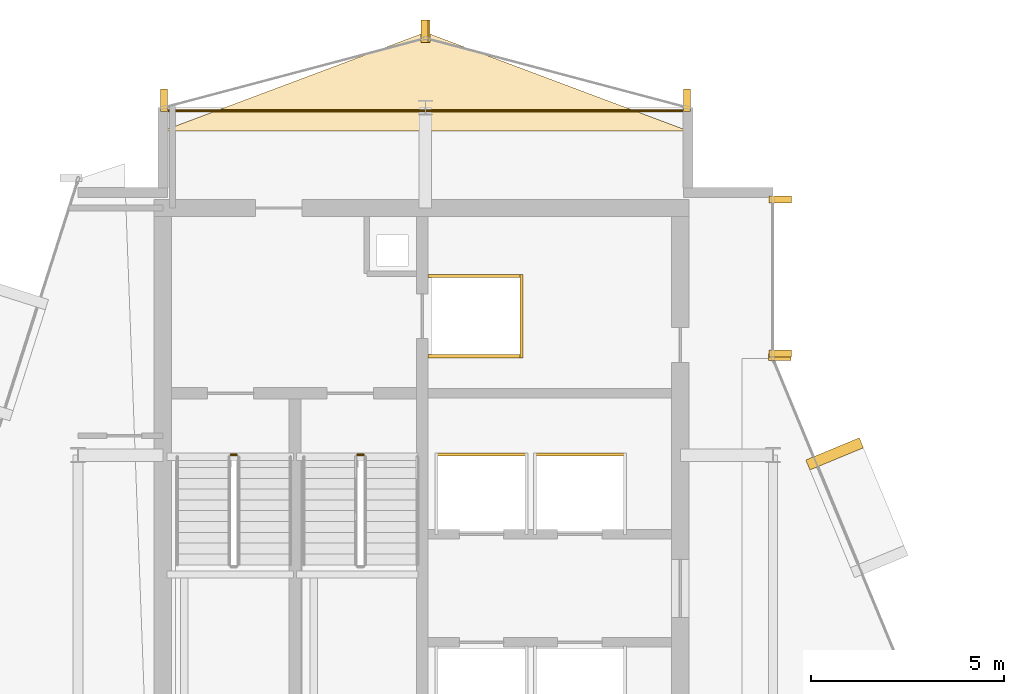
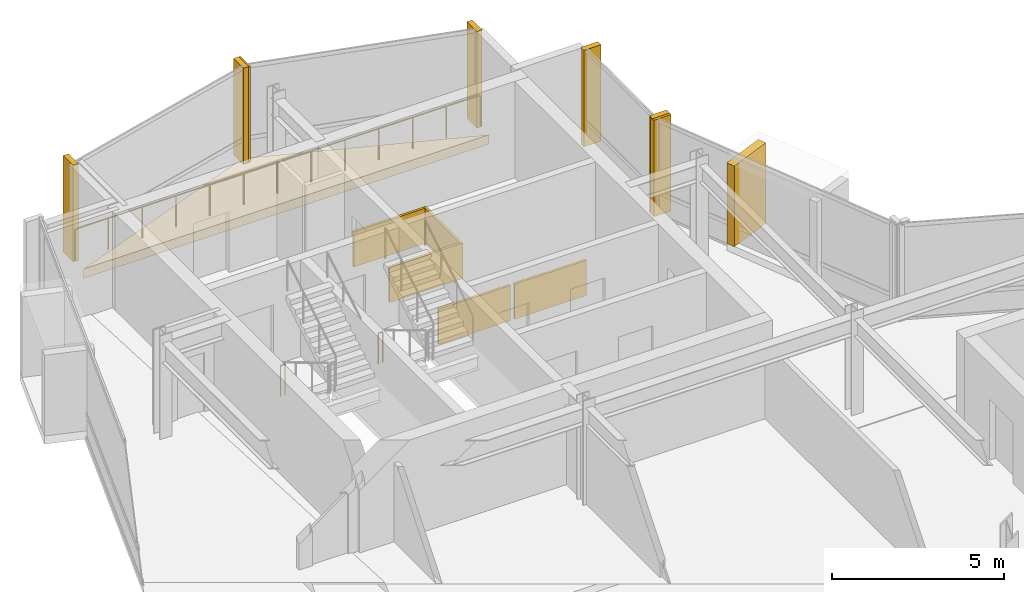
# One storey, part 19 of 19: 14 coverings, 3 railings.
"""IFC4 building model written with IfcOpenShell, lengths in metres."""

from ifc_helpers import new_model, si_unit, direction, frame, origin, origin_2d, place, context, subcontext, project, spatial, polyline, rectangle, circle, outline, extrude, material, layer, layer_set, type_object, element, save


model = new_model("IFC4")

# Units and contexts
model_context = context("Model", 3, precision=1e-05, world=origin(), true_north=direction((0.0, 1.0)))
body_context = subcontext(model_context, "Body", "Model", "MODEL_VIEW")
ifc_project = project(units=[si_unit("LENGTHUNIT", "METRE"), si_unit("AREAUNIT", "SQUARE_METRE"), si_unit("VOLUMEUNIT", "CUBIC_METRE"), si_unit("PLANEANGLEUNIT", "RADIAN"), si_unit("MASSUNIT", "GRAM", prefix="KILO")], contexts=[model_context])

# Site, building, storey
site_placement = place(None, origin())
site = spatial("IfcSite", under=ifc_project, at=site_placement, CompositionType="ELEMENT")
building_placement = place(site_placement, origin())
building = spatial("IfcBuilding", under=site, at=building_placement, Name="Solvaryn Broadcast Tower", CompositionType="ELEMENT")
storey_placement = place(building_placement, frame((0.0, 0.0, 259.300048828125)))
storey = spatial("IfcBuildingStorey", under=building, at=storey_placement, Name="L65", CompositionType="ELEMENT", Elevation=259.300048828125)

# Coverings
ifc_material_1 = material(Name="Fire-Rated Gypsum Shaftwall Liner", Category="concrete")
ifc_layer_1 = layer(ifc_material_1, 0.080078125)
ifc_layer_set_1 = layer_set([ifc_layer_1], Name="CV-SHAFT-LINER")
covering_type_1 = type_object("IfcCoveringType", Name="CV-SHAFT-LINER", PredefinedType="CLADDING", material=ifc_layer_set_1)
for number, where, z_axis, x_axis, name in (
    (1, (19.300048828125, 40.639892578125, 0.0), (0.0, 0.0, 1.0), (1.0, 0.0, 0.0), "L65 FL1 Hoistway Shaft Liner North"),
    (2, (19.300048828125, 38.56005859375, 0.0), (0.0, 0.0, 1.0), (1.0, 0.0, 0.0), "L65 FL1 Hoistway Shaft Liner South"),
):
    element("IfcCovering", number, at=place(storey_placement, frame(where, z_axis=z_axis, x_axis=x_axis)), inside=storey, type_object=covering_type_1, Name=name, PredefinedType="CLADDING", context=body_context, shape_type="SweptSolid", body=[
        extrude(rectangle(XDim=2.4599609375, YDim=0.080078125, at=origin_2d()), origin(), (0.0, 0.0, 1.0), 1.25),
    ])
covering_1_placement = place(storey_placement, frame((20.489990234375, 39.60009765625, 0.0), z_axis=(0.0, 0.0, 1.0), x_axis=(1.0, 0.0, 0.0)))
element("IfcCovering", 3, at=covering_1_placement, inside=storey, type_object=covering_type_1, Name="L65 FL1 Hoistway Shaft Liner East", PredefinedType="CLADDING", context=body_context, shape_type="SweptSolid", body=[
    extrude(rectangle(XDim=0.080078125, YDim=2.159912109375, at=origin_2d()), origin(), (0.0, 0.0, 1.0), 1.25),
])
for number, where, z_axis, x_axis, name in (
    (4, (19.449951171875, 36.014892578125, 0.0), (0.0, 0.0, 1.0), (1.0, 0.0, 0.0), "L65 PH3 Hoistway Shaft Liner North"),
    (5, (22.0, 36.014892578125, 0.0), (0.0, 0.0, 1.0), (1.0, 0.0, 0.0), "L65 PH4 Hoistway Shaft Liner North"),
):
    element("IfcCovering", number, at=place(storey_placement, frame(where, z_axis=z_axis, x_axis=x_axis)), inside=storey, type_object=covering_type_1, Name=name, PredefinedType="CLADDING", context=body_context, shape_type="SweptSolid", body=[
        extrude(rectangle(XDim=2.409912109375, YDim=0.080078125, at=origin_2d()), origin(), (0.0, 0.0, 1.0), 1.25),
    ])
ifc_material_2 = material(Name="Glazed Architectural Terracotta Rainscreen Cladding", Category="masonry")
ifc_layer_2 = layer(ifc_material_2, 0.280029296875)
ifc_layer_set_2 = layer_set([ifc_layer_2], Name="CV-TC-CLAD")
covering_type_2 = type_object("IfcCoveringType", Name="CV-TC-CLAD", PredefinedType="CLADDING", material=ifc_layer_set_2)
covering_2_placement = place(storey_placement, frame((28.59619140625, 36.031982421875, 0.27978515625), z_axis=(0.0, 0.0, 1.0), x_axis=(-0.382683432365, 0.923879532511, 0.0)))
element("IfcCovering", 6, at=covering_2_placement, inside=storey, type_object=covering_type_2, Name="L65 Projecting Stone Window Box Cheek 5-2", PredefinedType="CLADDING", context=body_context, shape_type="SweptSolid", body=[
    extrude(rectangle(XDim=0.280029296875, YDim=1.5, at=origin_2d()), origin(), (0.0, 0.0, 1.0), 2.860107421875),
])
ifc_material_3 = material(Name="Extruded Architectural Terracotta Fin", Category="masonry")
ifc_layer_3 = layer(ifc_material_3, 0.179931640625)
ifc_layer_set_3 = layer_set([ifc_layer_3], Name="CV-TC-FIN")
covering_type_3 = type_object("IfcCoveringType", Name="CV-TC-FIN", PredefinedType="USERDEFINED", material=ifc_layer_set_3)
for number, where, z_axis, x_axis, name in (
    (7, (27.1875, 42.6201171875, 0.0), (0.0, 0.0, 1.0), (1.0, 0.0, 0.0), "L65 Terracotta Vertical Fin FIN-L65-IV-M00"),
    (8, (27.1875, 38.6298828125, 0.0), (0.0, 0.0, 1.0), (1.0, 0.0, 0.0), "L65 Terracotta Vertical Fin FIN-L65-IV-M01"),
    (9, (27.177978515625, 38.541259765625, 0.0), (0.0, 0.0, 1.0), (1.0, 0.0, 0.0), "L65 Terracotta Vertical Fin FIN-L65-CN2-M01"),
):
    element("IfcCovering", number, at=place(storey_placement, frame(where, z_axis=z_axis, x_axis=x_axis)), inside=storey, type_object=covering_type_3, Name=name, ObjectType="FIN", PredefinedType="USERDEFINED", context=body_context, shape_type="SweptSolid", body=[
        extrude(rectangle(XDim=0.580078125, YDim=0.179931640625, at=origin_2d()), origin(), (0.0, 0.0, 1.0), 3.419921875),
    ])
for number, where, z_axis, x_axis, name in (
    (10, (24.77099609375, 45.1953125, 0.0), (0.0, 0.0, 1.0), (1.0, 0.0, 0.0), "L65 Terracotta Vertical Fin FIN-L65-NT1-M00"),
    (11, (18.029052734375, 46.979736328125, 0.0), (0.0, 0.0, 1.0), (1.0, 0.0, 0.0), "L65 Terracotta Vertical Fin FIN-L65-NT1-M01"),
    (12, (17.970947265625, 46.979736328125, 0.0), (0.0, 0.0, 1.0), (1.0, 0.0, 0.0), "L65 Terracotta Vertical Fin FIN-L65-NT2-M00"),
    (13, (11.22900390625, 45.1953125, 0.0), (0.0, 0.0, 1.0), (1.0, 0.0, 0.0), "L65 Terracotta Vertical Fin FIN-L65-NT2-M01"),
):
    element("IfcCovering", number, at=place(storey_placement, frame(where, z_axis=z_axis, x_axis=x_axis)), inside=storey, type_object=covering_type_3, Name=name, ObjectType="FIN", PredefinedType="USERDEFINED", context=body_context, shape_type="SweptSolid", body=[
        extrude(rectangle(XDim=0.179931640625, YDim=0.580078125, at=origin_2d()), origin(), (0.0, 0.0, 1.0), 3.419921875),
    ])
ifc_material_4 = material(Name="Sculpted Architectural Terracotta Wave Fascia", Category="masonry")
ifc_layer_4 = layer(ifc_material_4, 0.340087890625)
ifc_layer_set_4 = layer_set([ifc_layer_4], Name="CV-WAVE-TRAY")
covering_type_4 = type_object("IfcCoveringType", Name="CV-WAVE-TRAY", PredefinedType="CLADDING", material=ifc_layer_set_4)
covering_3_placement = place(storey_placement, frame((0.0, 0.0, -0.300048828125)))
element("IfcCovering", 14, at=covering_3_placement, inside=storey, type_object=covering_type_4, Name="L65 North Curved Wing Deck", PredefinedType="CLADDING", context=body_context, shape_type="SweptSolid", body=[
    extrude(outline(polyline([(11.199951171875, 44.39990234375), (24.800048828125, 44.39990234375), (18.0, 46.949951171875), (11.199951171875, 44.39990234375)])), origin(), (0.0, 0.0, 1.0), 0.330078125),
])

# Railings
ifc_material_5 = material(Name="Painted Steel Stair Well Guard", Category="steel")
railing_type_1 = type_object("IfcRailingType", Name="RL-STAIR-GUARD", PredefinedType="BALUSTRADE", material=ifc_material_5)
railing_1_placement = place(storey_placement, frame((12.9599609375, 36.010009765625, 0.0)))
element("IfcRailing", 15, at=railing_1_placement, inside=storey, type_object=railing_type_1, Name="L65 ST1 stair guard 4", PredefinedType="BALUSTRADE", context=body_context, shape_type="SweptSolid", body=[
    extrude(circle(Radius=0.02392578125, at=origin_2d()), frame((0.0, 0.0, 1.076171875), z_axis=(1.0, 0.0, 0.0), x_axis=(0.0, 1.0, 0.0)), (0.0, 0.0, 1.0), 0.150146484375),
    extrude(circle(Radius=0.02099609375, at=origin_2d()), origin(), (0.0, 0.0, 1.0), 1.052001953125),
    extrude(circle(Radius=0.02099609375, at=origin_2d()), frame((0.150146484375, 0.0, 0.0)), (0.0, 0.0, 1.0), 1.052001953125),
])
railing_2_placement = place(storey_placement, frame((16.239990234375, 36.010009765625, 0.0)))
element("IfcRailing", 16, at=railing_2_placement, inside=storey, type_object=railing_type_1, Name="L65 ST2 stair guard 4", PredefinedType="BALUSTRADE", context=body_context, shape_type="SweptSolid", body=[
    extrude(circle(Radius=0.02392578125, at=origin_2d()), frame((0.0, 0.0, 1.076171875), z_axis=(1.0, 0.0, 0.0), x_axis=(0.0, 1.0, 0.0)), (0.0, 0.0, 1.0), 0.14990234375),
    extrude(circle(Radius=0.02099609375, at=origin_2d()), origin(), (0.0, 0.0, 1.0), 1.052001953125),
    extrude(circle(Radius=0.02099609375, at=origin_2d()), frame((0.14990234375, 0.0, 0.0)), (0.0, 0.0, 1.0), 1.052001953125),
])
ifc_material_6 = material(Name="Stainless Steel and Laminated Glass Guard", Category="steel")
railing_type_2 = type_object("IfcRailingType", Name="RL-TER-1150", PredefinedType="BALUSTRADE", material=ifc_material_6)
railing_3_placement = place(storey_placement, frame((11.199951171875, 44.919921875, 0.0)))
element("IfcRailing", 17, at=railing_3_placement, inside=storey, type_object=railing_type_2, Name="L65 North Wing Spandrel Edge Guard", PredefinedType="BALUSTRADE", context=body_context, shape_type="SweptSolid", body=[
    extrude(circle(Radius=0.02392578125, at=origin_2d()), frame((0.0, 0.0, 1.1259765625), z_axis=(1.0, 0.0, 0.0), x_axis=(0.0, 1.0, 0.0)), (0.0, 0.0, 1.0), 13.60009765625),
    extrude(circle(Radius=0.02099609375, at=origin_2d()), origin(), (0.0, 0.0, 1.0), 1.101806640625),
    extrude(circle(Radius=0.02099609375, at=origin_2d()), frame((1.13330078125, 0.0, 0.0)), (0.0, 0.0, 1.0), 1.101806640625),
    extrude(circle(Radius=0.02099609375, at=origin_2d()), frame((2.2666015625, 0.0, 0.0)), (0.0, 0.0, 1.0), 1.101806640625),
    extrude(circle(Radius=0.02099609375, at=origin_2d()), frame((3.39990234375, 0.0, 0.0)), (0.0, 0.0, 1.0), 1.101806640625),
    extrude(circle(Radius=0.02099609375, at=origin_2d()), frame((4.533447265625, 0.0, 0.0)), (0.0, 0.0, 1.0), 1.101806640625),
    extrude(circle(Radius=0.02099609375, at=origin_2d()), frame((5.666748046875, 0.0, 0.0)), (0.0, 0.0, 1.0), 1.101806640625),
    extrude(circle(Radius=0.02099609375, at=origin_2d()), frame((6.800048828125, 0.0, 0.0)), (0.0, 0.0, 1.0), 1.101806640625),
    extrude(circle(Radius=0.02099609375, at=origin_2d()), frame((7.933349609375, 0.0, 0.0)), (0.0, 0.0, 1.0), 1.101806640625),
    extrude(circle(Radius=0.02099609375, at=origin_2d()), frame((9.066650390625, 0.0, 0.0)), (0.0, 0.0, 1.0), 1.101806640625),
    extrude(circle(Radius=0.02099609375, at=origin_2d()), frame((10.2001953125, 0.0, 0.0)), (0.0, 0.0, 1.0), 1.101806640625),
    extrude(circle(Radius=0.02099609375, at=origin_2d()), frame((11.33349609375, 0.0, 0.0)), (0.0, 0.0, 1.0), 1.101806640625),
    extrude(circle(Radius=0.02099609375, at=origin_2d()), frame((12.466796875, 0.0, 0.0)), (0.0, 0.0, 1.0), 1.101806640625),
    extrude(circle(Radius=0.02099609375, at=origin_2d()), frame((13.60009765625, 0.0, 0.0)), (0.0, 0.0, 1.0), 1.101806640625),
])

save(model, "model.ifc")
